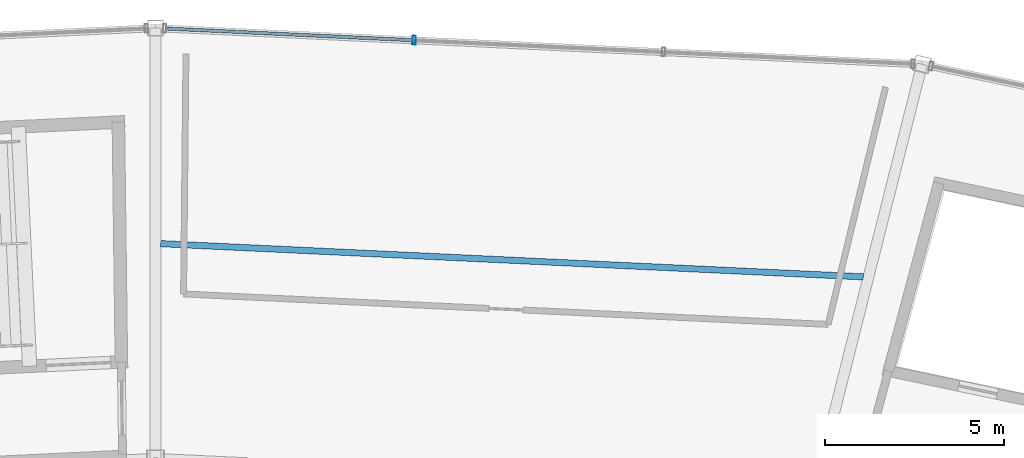
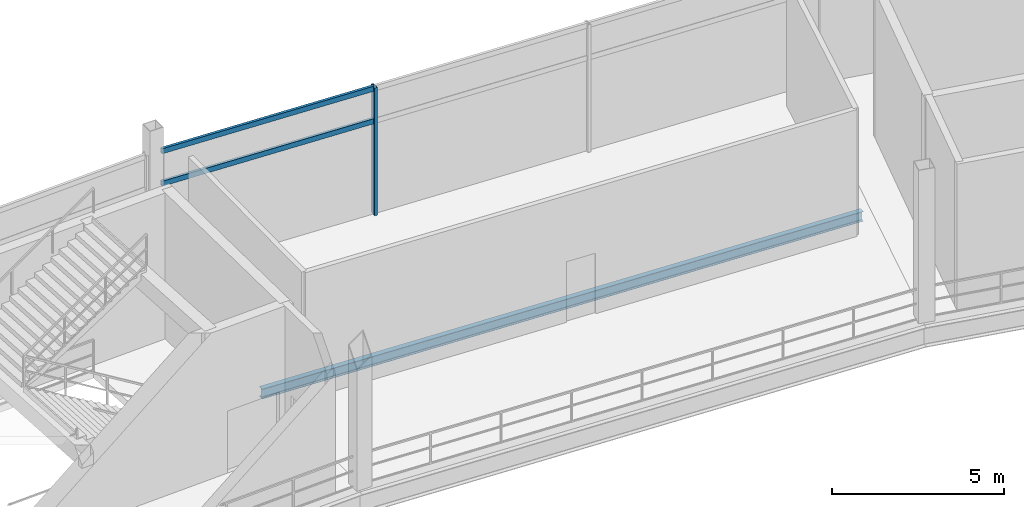
# One storey, part 60 of 103: 3 members, 1 beam, 1 element without a shape of its own.
"""IFC4 building model written with IfcOpenShell, lengths in metres."""

from ifc_helpers import new_model, si_unit, direction, frame, origin, origin_2d, place, context, subcontext, project, spatial, hollow_rectangle, i_section, extrude, material, layer, layer_set, material_profile, profile_set, type_object, element, aggregate, save


model = new_model("IFC4")

# Units and contexts
model_context = context("Model", 3, precision=1e-05, world=origin(), true_north=direction((0.0, 1.0)))
body_context = subcontext(model_context, "Body", "Model", "MODEL_VIEW")
ifc_project = project(units=[si_unit("LENGTHUNIT", "METRE"), si_unit("AREAUNIT", "SQUARE_METRE"), si_unit("VOLUMEUNIT", "CUBIC_METRE"), si_unit("PLANEANGLEUNIT", "RADIAN"), si_unit("MASSUNIT", "GRAM", prefix="KILO")], contexts=[model_context])

# Site, building, storey
site_placement = place(None, origin())
site = spatial("IfcSite", under=ifc_project, at=site_placement, CompositionType="ELEMENT")
building_placement = place(site_placement, origin())
building = spatial("IfcBuilding", under=site, at=building_placement, Name="Kazemori Nagisa Stadium", CompositionType="ELEMENT")
storey_placement = place(building_placement, frame((0.0, 0.0, 25.840087890625)))
storey = spatial("IfcBuildingStorey", under=building, at=storey_placement, Name="L05", CompositionType="ELEMENT", Elevation=25.840087890625)

# Beam
ifc_material_1 = material(Name="Steel SN490B", Category="steel")
ifc_material_profile_1 = material_profile(ifc_material_1, i_section(OverallWidth=0.175048828125, OverallDepth=0.35009765625, WebThickness=0.007080078125, FlangeThickness=0.010986328125, FilletRadius=0.012939453125, at=origin_2d()), Name="H-350x175x7x11")
ifc_profile_set_1 = profile_set([ifc_material_profile_1], Name="Steel SN490B")
beam_type = type_object("IfcBeamType", Name="Beam_BJ-H350", PredefinedType="JOIST", material=ifc_profile_set_1)
beam_placement = place(storey_placement, frame((142.782958984375, 181.044677734375, -0.43505859375), z_axis=(-0.998884234836, 0.047225897525, 0.0), x_axis=(-0.047225897525, -0.998884234836, 0.0)))
element("IfcBeam", 1, at=beam_placement, inside=storey, type_object=beam_type, Name="Outer bay joist BJ-H350 L05 B07", PredefinedType="JOIST", context=body_context, shape_type="SweptSolid", body=[
    extrude(i_section(OverallWidth=0.175048828125, OverallDepth=0.35009765625, WebThickness=0.007080078125, FlangeThickness=0.010986328125, FilletRadius=0.012939453125, at=origin_2d()), origin(), (0.0, 0.0, 1.0), 19.66015625),
])

# Curtain wall, members
ifc_material_2 = material(Name="Anodised aluminium 6063-T5", Category="aluminium")
ifc_layer = layer(ifc_material_2, 0.239990234375, Name="Anodised aluminium 6063-T5", Category="aluminium")
ifc_layer_set = layer_set([ifc_layer], Name="Anodised aluminium 6063-T5")
curtain_wall_type = type_object("IfcCurtainWallType", Name="CW_L05R3_105", PredefinedType="USERDEFINED", material=ifc_layer_set)
curtain_wall_placement = place(storey_placement, origin())
curtain_wall = element("IfcCurtainWall", 2, at=curtain_wall_placement, inside=storey, type_object=curtain_wall_type, Name="Unitised curtain wall CW-L05R3-105 L05", ObjectType="UNITISED CURTAIN WALL", PredefinedType="USERDEFINED")
ifc_material_3 = material(Name="Aluminium 6063-T5 anodised", Category="aluminium")
ifc_material_profile_2 = material_profile(ifc_material_3, hollow_rectangle(XDim=0.090087890625, YDim=0.239990234375, WallThickness=0.0048828125, at=origin_2d()), Name="ALU-MULL-90x240x5")
ifc_profile_set_2 = profile_set([ifc_material_profile_2], Name="Aluminium 6063-T5 anodised")
member_type_1 = type_object("IfcMemberType", Name="Mullion_M03", PredefinedType="MULLION", material=ifc_profile_set_2)
member_1_placement = place(storey_placement, frame((130.2275390625, 187.658203125, 0.0), z_axis=(0.0, 0.0, 1.0), x_axis=(-0.998884022476, 0.047230388971, 0.0)))
member_1 = element("IfcMember", 3, at=member_1_placement, type_object=member_type_1, Name="Curtain wall mullion CW-L05R3-105-M3", PredefinedType="MULLION", context=body_context, shape_type="SweptSolid", body=[
    extrude(hollow_rectangle(XDim=0.090087890625, YDim=0.239990234375, WallThickness=0.0048828125, at=origin_2d()), origin(), (0.0, 0.0, 1.0), 4.530029296875),
])
ifc_material_profile_3 = material_profile(ifc_material_3, hollow_rectangle(XDim=0.090087890625, YDim=0.179931640625, WallThickness=0.0048828125, at=origin_2d()), Name="ALU-TRAN-90x180x5")
ifc_profile_set_3 = profile_set([ifc_material_profile_3], Name="Aluminium 6063-T5 anodised")
member_type_2 = type_object("IfcMemberType", Name="Transom_T03", PredefinedType="USERDEFINED", material=ifc_profile_set_3)
member_2_placement = place(storey_placement, frame((130.20751953125, 187.6591796875, 3.306884765625), z_axis=(-0.998883524201, 0.047240925908, 0.0), x_axis=(-0.047240925908, -0.998883524201, 0.0)))
member_2 = element("IfcMember", 4, at=member_2_placement, type_object=member_type_2, Name="Curtain wall transom CW-L05R3-105-T3-mid", ObjectType="TRANSOM", PredefinedType="USERDEFINED", context=body_context, shape_type="SweptSolid", body=[
    extrude(hollow_rectangle(XDim=0.090087890625, YDim=0.179931640625, WallThickness=0.0048828125, at=origin_2d()), origin(), (0.0, 0.0, 1.0), 6.940673828125),
])
member_3_placement = place(storey_placement, frame((130.20751953125, 187.6591796875, 4.4599609375), z_axis=(-0.998883524201, 0.047240925908, 0.0), x_axis=(-0.047240925908, -0.998883524201, 0.0)))
member_3 = element("IfcMember", 5, at=member_3_placement, type_object=member_type_2, Name="Curtain wall transom CW-L05R3-105-T3-head", ObjectType="TRANSOM", PredefinedType="USERDEFINED", context=body_context, shape_type="SweptSolid", body=[
    extrude(hollow_rectangle(XDim=0.090087890625, YDim=0.179931640625, WallThickness=0.0048828125, at=origin_2d()), origin(), (0.0, 0.0, 1.0), 6.940673828125),
])
aggregate(curtain_wall, [member_1, member_2, member_3])

save(model, "model.ifc")
